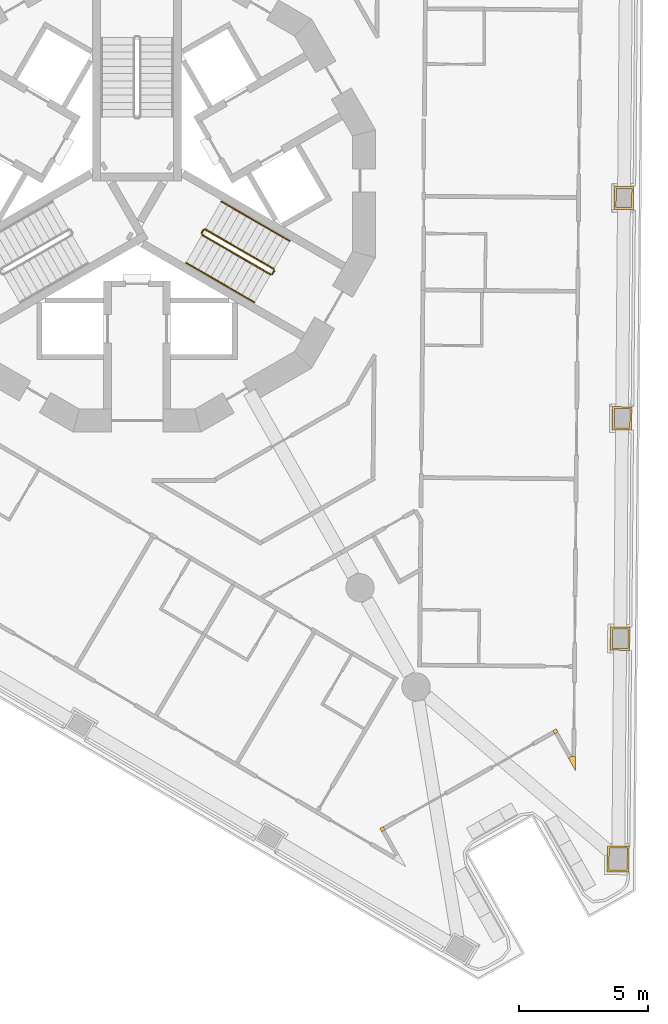
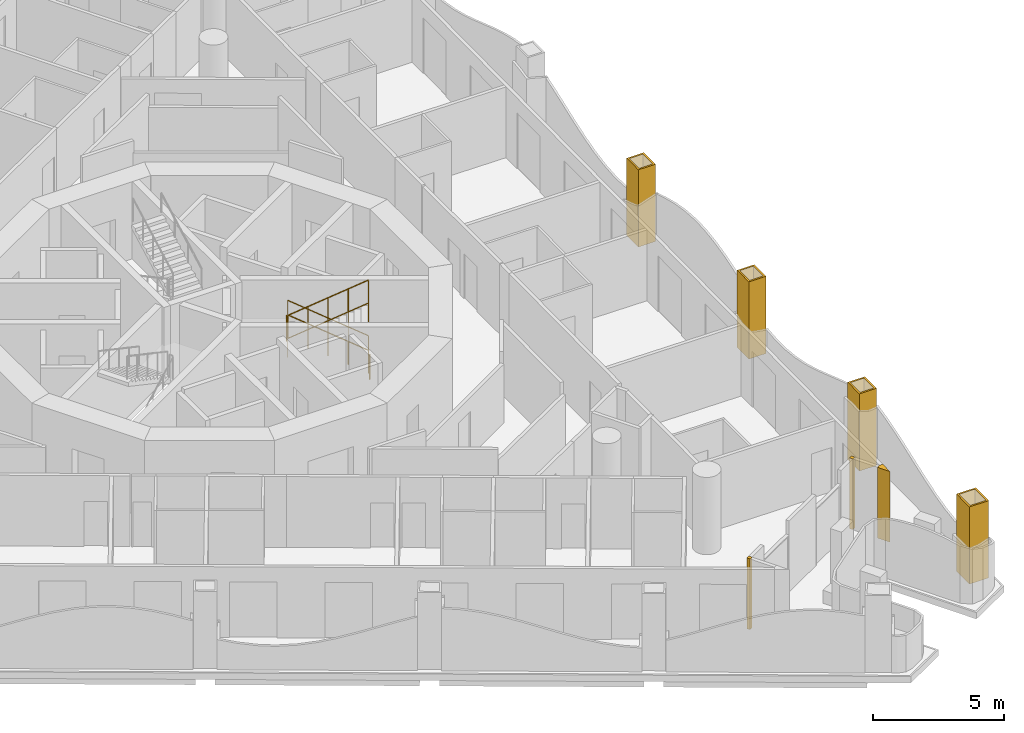
# One storey, part 14 of 17: 8 railings, 7 coverings.
"""IFC4 building model written with IfcOpenShell, lengths in metres."""

from ifc_helpers import new_model, si_unit, direction, frame, origin, origin_2d, place, context, subcontext, project, spatial, polyline, circle, outline, extrude, material, layer, layer_set, type_object, element, save


model = new_model("IFC4")

# Units and contexts
model_context = context("Model", 3, precision=1e-05, world=origin(), true_north=direction((0.0, 1.0)))
body_context = subcontext(model_context, "Body", "Model", "MODEL_VIEW")
ifc_project = project(units=[si_unit("LENGTHUNIT", "METRE"), si_unit("AREAUNIT", "SQUARE_METRE"), si_unit("VOLUMEUNIT", "CUBIC_METRE"), si_unit("PLANEANGLEUNIT", "RADIAN"), si_unit("MASSUNIT", "GRAM", prefix="KILO")], contexts=[model_context])

# Site, building, storey
site_placement = place(None, origin())
site = spatial("IfcSite", under=ifc_project, at=site_placement, CompositionType="ELEMENT")
building_placement = place(site_placement, origin())
building = spatial("IfcBuilding", under=site, at=building_placement, Name="Trine Commons Tower", CompositionType="ELEMENT")
storey_placement = place(building_placement, frame((0.0, 0.0, 164.699951171875)))
storey = spatial("IfcBuildingStorey", under=building, at=storey_placement, Name="L42", CompositionType="ELEMENT", Elevation=164.699951171875)

# Coverings
ifc_material_1 = material(Name="Aluminium-framed insulated wall panel", Category="aluminium")
ifc_layer_1 = layer(ifc_material_1, 0.14990234375)
ifc_layer_set_1 = layer_set([ifc_layer_1], Name="Aluminium-framed insulated wall panel")
covering_type_1 = type_object("IfcCoveringType", Name="Glazing corner post, aluminium", PredefinedType="CLADDING", material=ifc_layer_set_1)
covering_1_placement = place(storey_placement, origin())
element("IfcCovering", 1, at=covering_1_placement, inside=storey, type_object=covering_type_1, Name="Glazing corner post 5-09", PredefinedType="CLADDING", context=body_context, shape_type="SweptSolid", body=[
    extrude(outline(polyline([(96.776611328125, 40.5439453125), (97.05224609375, 40.056640625), (97.05712890625, 40.616455078125), (96.9072265625, 40.617919921875), (96.9072265625, 40.617919921875), (96.776611328125, 40.5439453125)])), origin(), (0.0, 0.0, 1.0), 3.300048828125),
])
covering_2_placement = place(storey_placement, origin())
element("IfcCovering", 2, at=covering_2_placement, inside=storey, type_object=covering_type_1, Name="Glazing corner post 5-10", PredefinedType="CLADDING", context=body_context, shape_type="SweptSolid", body=[
    extrude(outline(polyline([(96.168212890625, 41.619384765625), (96.241943359375, 41.489013671875), (96.37255859375, 41.562744140625), (96.298583984375, 41.693359375), (96.168212890625, 41.619384765625)])), origin(), (0.0, 0.0, 1.0), 3.300048828125),
])
covering_3_placement = place(storey_placement, origin())
element("IfcCovering", 3, at=covering_3_placement, inside=storey, type_object=covering_type_1, Name="Glazing corner post 5-11", PredefinedType="CLADDING", context=body_context, shape_type="SweptSolid", body=[
    extrude(outline(polyline([(89.51416015625, 37.6826171875), (89.644775390625, 37.75634765625), (89.57080078125, 37.886962890625), (89.440185546875, 37.81298828125), (89.51416015625, 37.6826171875)])), origin(), (0.0, 0.0, 1.0), 3.300048828125),
])
ifc_material_2 = material(Name="Limestone, honed", Category="masonry")
ifc_layer_2 = layer(ifc_material_2, 0.074951171875)
ifc_layer_set_2 = layer_set([ifc_layer_2], Name="Limestone, honed")
covering_type_2 = type_object("IfcCoveringType", Name="Limestone column cladding 75", PredefinedType="CLADDING", material=ifc_layer_set_2)
covering_4_placement = place(storey_placement, origin())
element("IfcCovering", 4, at=covering_4_placement, inside=storey, type_object=covering_type_2, Name="Limestone pier cladding 5-18", PredefinedType="CLADDING", context=body_context, shape_type="SweptSolid", body=[
    extrude(outline(polyline([(99.315673828125, 62.781494140625), (98.565673828125, 62.7880859375), (98.557861328125, 61.887939453125), (99.307861328125, 61.88134765625), (99.315673828125, 62.781494140625)]), holes=[polyline([(99.239990234375, 62.70703125), (98.64013671875, 62.71240234375), (98.633544921875, 61.96240234375), (99.2333984375, 61.95703125), (99.239990234375, 62.70703125)])]), origin(), (0.0, 0.0, 1.0), 3.60009765625),
])
covering_5_placement = place(storey_placement, origin())
element("IfcCovering", 5, at=covering_5_placement, inside=storey, type_object=covering_type_2, Name="Limestone pier cladding 5-19", PredefinedType="CLADDING", context=body_context, shape_type="SweptSolid", body=[
    extrude(outline(polyline([(99.240966796875, 54.211181640625), (98.490966796875, 54.2177734375), (98.483154296875, 53.31787109375), (99.233154296875, 53.311279296875), (99.240966796875, 54.211181640625)]), holes=[polyline([(99.165283203125, 54.136962890625), (98.565185546875, 54.14208984375), (98.55859375, 53.39208984375), (99.15869140625, 53.386962890625), (99.165283203125, 54.136962890625)])]), origin(), (0.0, 0.0, 1.0), 3.60009765625),
])
covering_6_placement = place(storey_placement, origin())
element("IfcCovering", 6, at=covering_6_placement, inside=storey, type_object=covering_type_2, Name="Limestone pier cladding 5-20", PredefinedType="CLADDING", context=body_context, shape_type="SweptSolid", body=[
    extrude(outline(polyline([(99.166015625, 45.640869140625), (98.416015625, 45.6474609375), (98.408203125, 44.74755859375), (99.158203125, 44.740966796875), (99.166015625, 45.640869140625)]), holes=[polyline([(99.090576171875, 45.566650390625), (98.490478515625, 45.57177734375), (98.48388671875, 44.82177734375), (99.083984375, 44.816650390625), (99.090576171875, 45.566650390625)])]), origin(), (0.0, 0.0, 1.0), 3.60009765625),
])
covering_7_placement = place(storey_placement, origin())
element("IfcCovering", 7, at=covering_7_placement, inside=storey, type_object=covering_type_2, Name="Limestone pier cladding 5-21", PredefinedType="CLADDING", context=body_context, shape_type="SweptSolid", body=[
    extrude(outline(polyline([(99.1416015625, 37.1201171875), (98.291748046875, 37.127685546875), (98.283203125, 36.127685546875), (99.133056640625, 36.1201171875), (99.1416015625, 37.1201171875)]), holes=[polyline([(99.066162109375, 37.0458984375), (98.3662109375, 37.052001953125), (98.358642578125, 36.201904296875), (99.05859375, 36.19580078125), (99.066162109375, 37.0458984375)])]), origin(), (0.0, 0.0, 1.0), 3.60009765625),
])

# Railings
ifc_material_3 = material(Name="Stainless steel balustrade", Category="steel")
railing_type_1 = type_object("IfcRailingType", Name="Stair guard, steel balustrade 1100", PredefinedType="GUARDRAIL", material=ifc_material_3)
railing_1_placement = place(storey_placement, frame((85.31982421875, 59.572998046875, 0.150146484375)))
element("IfcRailing", 8, at=railing_1_placement, inside=storey, type_object=railing_type_1, Name="L42 ST3B stair guard 1", PredefinedType="GUARDRAIL", context=body_context, shape_type="SweptSolid", body=[
    extrude(circle(Radius=0.02392578125, at=origin_2d()), frame((0.0, 0.0, 1.076171875), z_axis=(-0.76340495495, 0.440743040072, 0.472184759798), x_axis=(-0.499992328818, -0.866029832698, 0.0)), (0.0, 0.0, 1.0), 3.494140625),
    extrude(circle(Radius=0.02099609375, at=origin_2d()), origin(), (0.0, 0.0, 1.0), 1.052001953125),
    extrude(circle(Radius=0.02099609375, at=origin_2d()), frame((-0.6669921875, 0.385009765625, 0.41259765625)), (0.0, 0.0, 1.0), 1.052001953125),
    extrude(circle(Radius=0.02099609375, at=origin_2d()), frame((-1.333740234375, 0.77001953125, 0.824951171875)), (0.0, 0.0, 1.0), 1.052001953125),
    extrude(circle(Radius=0.02099609375, at=origin_2d()), frame((-2.00048828125, 1.155029296875, 1.2373046875)), (0.0, 0.0, 1.0), 1.052001953125),
    extrude(circle(Radius=0.02099609375, at=origin_2d()), frame((-2.66748046875, 1.5400390625, 1.64990234375)), (0.0, 0.0, 1.0), 1.052001953125),
])
railing_2_placement = place(storey_placement, frame((82.584228515625, 61.0947265625, 1.800048828125)))
element("IfcRailing", 9, at=railing_2_placement, inside=storey, type_object=railing_type_1, Name="L42 ST3B stair guard 2", PredefinedType="GUARDRAIL", context=body_context, shape_type="SweptSolid", body=[
    extrude(circle(Radius=0.02392578125, at=origin_2d()), frame((0.0, 0.0, 1.076171875), z_axis=(-0.501036270542, -0.865426285481, 0.0), x_axis=(0.865426285481, -0.501036270542, 0.0)), (0.0, 0.0, 1.0), 0.150146484375),
    extrude(circle(Radius=0.02099609375, at=origin_2d()), origin(), (0.0, 0.0, 1.0), 1.052001953125),
    extrude(circle(Radius=0.02099609375, at=origin_2d()), frame((-0.0751953125, -0.1298828125, 0.0)), (0.0, 0.0, 1.0), 1.052001953125),
])
railing_3_placement = place(storey_placement, frame((82.52734375, 60.896484375, 1.949951171875)))
element("IfcRailing", 10, at=railing_3_placement, inside=storey, type_object=railing_type_1, Name="L42 ST3B stair guard 3", PredefinedType="GUARDRAIL", context=body_context, shape_type="SweptSolid", body=[
    extrude(circle(Radius=0.02392578125, at=origin_2d()), frame((0.0, 0.0, 1.076171875), z_axis=(0.763379768245, -0.440728498818, 0.472239049384), x_axis=(0.499992328818, 0.866029832698, 0.0)), (0.0, 0.0, 1.0), 3.494384765625),
    extrude(circle(Radius=0.02099609375, at=origin_2d()), origin(), (0.0, 0.0, 1.0), 1.052001953125),
    extrude(circle(Radius=0.02099609375, at=origin_2d()), frame((0.6669921875, -0.385009765625, 0.41259765625)), (0.0, 0.0, 1.0), 1.052001953125),
    extrude(circle(Radius=0.02099609375, at=origin_2d()), frame((1.333740234375, -0.77001953125, 0.8251953125)), (0.0, 0.0, 1.0), 1.052001953125),
    extrude(circle(Radius=0.02099609375, at=origin_2d()), frame((2.00048828125, -1.155029296875, 1.237548828125)), (0.0, 0.0, 1.0), 1.052001953125),
    extrude(circle(Radius=0.02099609375, at=origin_2d()), frame((2.66748046875, -1.5400390625, 1.650146484375)), (0.0, 0.0, 1.0), 1.052001953125),
])
railing_4_placement = place(storey_placement, frame((85.338134765625, 59.504638671875, 0.0)))
element("IfcRailing", 11, at=railing_4_placement, inside=storey, type_object=railing_type_1, Name="L42 ST3B stair guard 4", PredefinedType="GUARDRAIL", context=body_context, shape_type="SweptSolid", body=[
    extrude(circle(Radius=0.02392578125, at=origin_2d()), frame((0.0, 0.0, 1.076171875), z_axis=(-0.499816412211, -0.866131372301, 0.0), x_axis=(0.866131372301, -0.499816412211, 0.0)), (0.0, 0.0, 1.0), 0.14990234375),
    extrude(circle(Radius=0.02099609375, at=origin_2d()), origin(), (0.0, 0.0, 1.0), 1.052001953125),
    extrude(circle(Radius=0.02099609375, at=origin_2d()), frame((-0.074951171875, -0.1298828125, 0.0)), (0.0, 0.0, 1.0), 1.052001953125),
])
ifc_material_4 = material(Name="Stainless steel handrail", Category="steel")
railing_type_2 = type_object("IfcRailingType", Name="Stair handrail, steel 900", PredefinedType="HANDRAIL", material=ifc_material_4)
for number, where, name in (
    (12, (85.94482421875, 60.655517578125, 0.150146484375), "L42 ST3B stair handrail 1"),
    (13, (84.611083984375, 61.425537109375, 0.97509765625), "L42 ST3B stair handrail 2"),
):
    element("IfcRailing", number, at=place(storey_placement, frame(where)), inside=storey, type_object=railing_type_2, Name=name, PredefinedType="HANDRAIL", context=body_context, shape_type="SweptSolid", body=[
        extrude(circle(Radius=0.02099609375, at=origin_2d()), frame((0.0, 0.0, 0.87890625), z_axis=(-0.76340495495, 0.440743040072, 0.472184759798), x_axis=(-0.499992328818, -0.866029832698, 0.0)), (0.0, 0.0, 1.0), 1.7470703125),
        extrude(circle(Radius=0.01513671875, at=origin_2d()), origin(), (0.0, 0.0, 1.0), 0.85791015625),
        extrude(circle(Radius=0.01513671875, at=origin_2d()), frame((-0.6669921875, 0.385009765625, 0.41259765625)), (0.0, 0.0, 1.0), 0.85791015625),
        extrude(circle(Radius=0.01513671875, at=origin_2d()), frame((-1.333740234375, 0.77001953125, 0.824951171875)), (0.0, 0.0, 1.0), 0.85791015625),
    ])
railing_5_placement = place(storey_placement, frame((81.90234375, 59.81396484375, 1.949951171875)))
element("IfcRailing", 14, at=railing_5_placement, inside=storey, type_object=railing_type_2, Name="L42 ST3B stair handrail 3", PredefinedType="HANDRAIL", context=body_context, shape_type="SweptSolid", body=[
    extrude(circle(Radius=0.02099609375, at=origin_2d()), frame((0.0, 0.0, 0.87890625), z_axis=(0.763354580307, -0.440713956853, 0.472293333596), x_axis=(0.499992328818, 0.866029832698, 0.0)), (0.0, 0.0, 1.0), 1.747314453125),
    extrude(circle(Radius=0.01513671875, at=origin_2d()), origin(), (0.0, 0.0, 1.0), 0.85791015625),
    extrude(circle(Radius=0.01513671875, at=origin_2d()), frame((0.6669921875, -0.385009765625, 0.41259765625)), (0.0, 0.0, 1.0), 0.85791015625),
    extrude(circle(Radius=0.01513671875, at=origin_2d()), frame((1.333740234375, -0.77001953125, 0.8251953125)), (0.0, 0.0, 1.0), 0.85791015625),
])
railing_6_placement = place(storey_placement, frame((83.236083984375, 59.0439453125, 2.775146484375)))
element("IfcRailing", 15, at=railing_6_placement, inside=storey, type_object=railing_type_2, Name="L42 ST3B stair handrail 4", PredefinedType="HANDRAIL", context=body_context, shape_type="SweptSolid", body=[
    extrude(circle(Radius=0.02099609375, at=origin_2d()), frame((0.0, 0.0, 0.87890625), z_axis=(0.76340495495, -0.440743040072, 0.472184759798), x_axis=(0.499992328818, 0.866029832698, 0.0)), (0.0, 0.0, 1.0), 1.7470703125),
    extrude(circle(Radius=0.01513671875, at=origin_2d()), origin(), (0.0, 0.0, 1.0), 0.85791015625),
    extrude(circle(Radius=0.01513671875, at=origin_2d()), frame((0.6669921875, -0.385009765625, 0.41259765625)), (0.0, 0.0, 1.0), 0.85791015625),
    extrude(circle(Radius=0.01513671875, at=origin_2d()), frame((1.333740234375, -0.77001953125, 0.824951171875)), (0.0, 0.0, 1.0), 0.85791015625),
])

save(model, "model.ifc")
